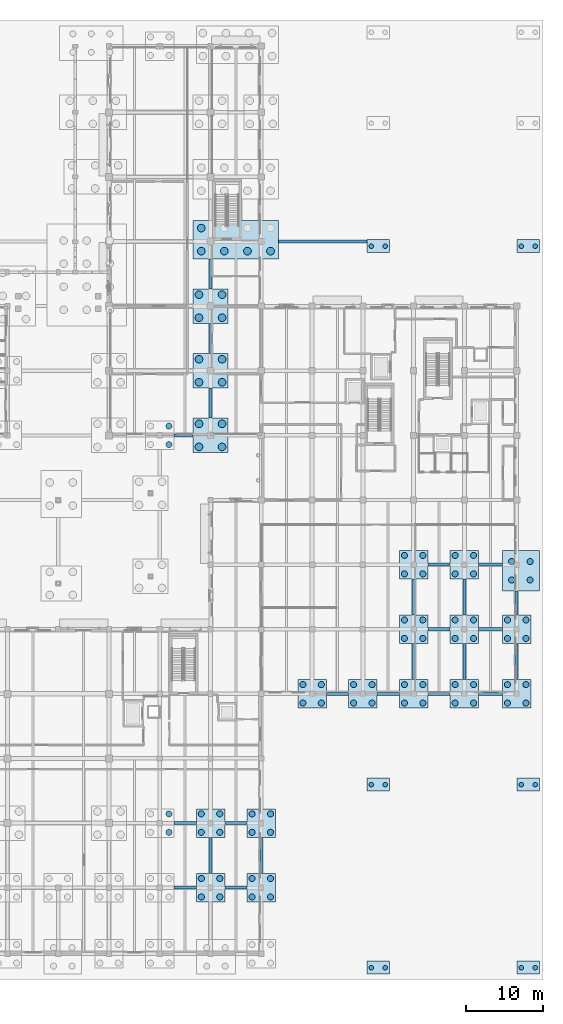
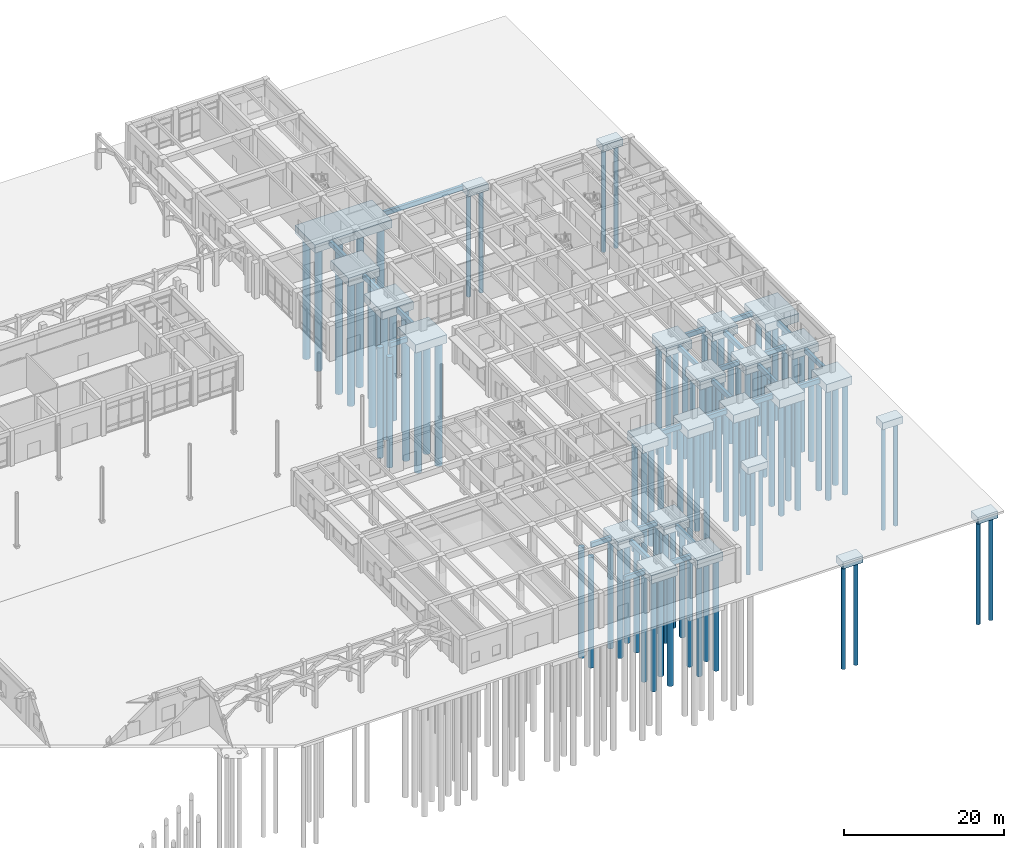
# One storey, part 8 of 82: 93 piles, 50 footings.
"""IFC4 building model written with IfcOpenShell, lengths in metres."""

from ifc_helpers import new_model, si_unit, direction, frame, origin, origin_2d, place, context, subcontext, project, spatial, rectangle, circle, extrude, material, material_profile, profile_set, type_object, element, save


model = new_model("IFC4")

# Units and contexts
model_context = context("Model", 3, precision=1e-05, world=origin(), true_north=direction((0.0, 1.0)))
body_context = subcontext(model_context, "Body", "Model", "MODEL_VIEW")
ifc_project = project(units=[si_unit("LENGTHUNIT", "METRE"), si_unit("AREAUNIT", "SQUARE_METRE"), si_unit("VOLUMEUNIT", "CUBIC_METRE"), si_unit("PLANEANGLEUNIT", "RADIAN"), si_unit("MASSUNIT", "GRAM", prefix="KILO")], contexts=[model_context])

# Site, building, storey
site_placement = place(None, origin())
site = spatial("IfcSite", under=ifc_project, at=site_placement, CompositionType="ELEMENT")
building_placement = place(site_placement, origin())
building = spatial("IfcBuilding", under=site, at=building_placement, Name="Kolvaren Faculty of Natural Sciences", CompositionType="ELEMENT")
storey_placement = place(building_placement, origin())
storey = spatial("IfcBuildingStorey", under=building, at=storey_placement, Name="L00", CompositionType="ELEMENT", Elevation=0.0)

# Piles
ifc_material = material(Name="Concrete C35/45", Category="concrete")
ifc_material_profile_1 = material_profile(ifc_material, circle(Radius=0.5, at=origin_2d()), Name="PILE D1000")
ifc_profile_set_1 = profile_set([ifc_material_profile_1], Name="Concrete C35/45")
pile_type_1 = type_object("IfcPileType", Name="BoredPile_1000", PredefinedType="BORED", material=ifc_profile_set_1)
for number, where, z_axis, x_axis, name in (
    (1, (130.699951171875, 65.89990234375, -1.469970703125), (0.0, 0.0, -1.0), (1.0, 0.0, 0.0), "Rock-socketed bored pile BP-1000 under CAP-217"),
    (2, (130.699951171875, 68.89990234375, -1.469970703125), (0.0, 0.0, -1.0), (1.0, 0.0, 0.0), "Rock-socketed bored pile BP-1000 under CAP-217"),
    (3, (133.699951171875, 65.89990234375, -1.469970703125), (0.0, 0.0, -1.0), (1.0, 0.0, 0.0), "Rock-socketed bored pile BP-1000 under CAP-217"),
    (4, (133.699951171875, 68.89990234375, -1.469970703125), (0.0, 0.0, -1.0), (1.0, 0.0, 0.0), "Rock-socketed bored pile BP-1000 under CAP-217"),
    (5, (130.699951171875, 74.300048828125, -1.469970703125), (0.0, 0.0, -1.0), (1.0, 0.0, 0.0), "Rock-socketed bored pile BP-1000 under CAP-218"),
    (6, (130.699951171875, 77.300048828125, -1.469970703125), (0.0, 0.0, -1.0), (1.0, 0.0, 0.0), "Rock-socketed bored pile BP-1000 under CAP-218"),
    (7, (133.699951171875, 74.300048828125, -1.469970703125), (0.0, 0.0, -1.0), (1.0, 0.0, 0.0), "Rock-socketed bored pile BP-1000 under CAP-218"),
    (8, (133.699951171875, 77.300048828125, -1.469970703125), (0.0, 0.0, -1.0), (1.0, 0.0, 0.0), "Rock-socketed bored pile BP-1000 under CAP-218"),
    (9, (130.699951171875, 82.699951171875, -1.469970703125), (0.0, 0.0, -1.0), (1.0, 0.0, 0.0), "Rock-socketed bored pile BP-1000 under CAP-219"),
    (10, (130.699951171875, 85.699951171875, -1.469970703125), (0.0, 0.0, -1.0), (1.0, 0.0, 0.0), "Rock-socketed bored pile BP-1000 under CAP-219"),
    (11, (133.699951171875, 82.699951171875, -1.469970703125), (0.0, 0.0, -1.0), (1.0, 0.0, 0.0), "Rock-socketed bored pile BP-1000 under CAP-219"),
    (12, (133.699951171875, 85.699951171875, -1.469970703125), (0.0, 0.0, -1.0), (1.0, 0.0, 0.0), "Rock-socketed bored pile BP-1000 under CAP-219"),
    (13, (131.0, 91.35009765625, -1.469970703125), (0.0, 0.0, -1.0), (1.0, 0.0, 0.0), "Rock-socketed bored pile BP-1000 under CAP-220"),
    (14, (131.0, 94.35009765625, -1.469970703125), (0.0, 0.0, -1.0), (1.0, 0.0, 0.0), "Rock-socketed bored pile BP-1000 under CAP-220"),
    (15, (134.0, 91.35009765625, -1.469970703125), (0.0, 0.0, -1.0), (1.0, 0.0, 0.0), "Rock-socketed bored pile BP-1000 under CAP-220"),
    (16, (137.0, 91.35009765625, -1.469970703125), (0.0, 0.0, -1.0), (1.0, 0.0, 0.0), "Rock-socketed bored pile BP-1000 under CAP-220"),
    (17, (140.0, 91.35009765625, -1.469970703125), (0.0, 0.0, -1.0), (1.0, 0.0, 0.0), "Rock-socketed bored pile BP-1000 under CAP-220"),
):
    element("IfcPile", number, at=place(storey_placement, frame(where, z_axis=z_axis, x_axis=x_axis)), inside=storey, type_object=pile_type_1, Name=name, PredefinedType="BORED", context=body_context, shape_type="SweptSolid", body=[
        extrude(circle(Radius=0.5, at=origin_2d()), origin(), (0.0, 0.0, 1.0), 18.830078125),
    ])
ifc_material_profile_2 = material_profile(ifc_material, circle(Radius=0.300048828125, at=origin_2d()), Name="PILE D600")
ifc_profile_set_2 = profile_set([ifc_material_profile_2], Name="Concrete C35/45")
pile_type_2 = type_object("IfcPileType", Name="BoredPile_600", PredefinedType="BORED", material=ifc_profile_set_2)
for number, where, z_axis, x_axis, name in (
    (18, (153.10009765625, -1.800048828125, -1.27001953125), (0.0, 0.0, -1.0), (1.0, 0.0, 0.0), "Rock-socketed bored pile BP-600 under CAP-233"),
    (19, (154.89990234375, -1.800048828125, -1.27001953125), (0.0, 0.0, -1.0), (1.0, 0.0, 0.0), "Rock-socketed bored pile BP-600 under CAP-233"),
    (20, (153.10009765625, 22.0, -1.27001953125), (0.0, 0.0, -1.0), (1.0, 0.0, 0.0), "Rock-socketed bored pile BP-600 under CAP-234"),
    (21, (154.89990234375, 22.0, -1.27001953125), (0.0, 0.0, -1.0), (1.0, 0.0, 0.0), "Rock-socketed bored pile BP-600 under CAP-234"),
    (22, (153.10009765625, 92.0, -1.27001953125), (0.0, 0.0, -1.0), (1.0, 0.0, 0.0), "Rock-socketed bored pile BP-600 under CAP-235"),
    (23, (154.89990234375, 92.0, -1.27001953125), (0.0, 0.0, -1.0), (1.0, 0.0, 0.0), "Rock-socketed bored pile BP-600 under CAP-235"),
    (24, (172.60009765625, -1.800048828125, -1.27001953125), (0.0, 0.0, -1.0), (1.0, 0.0, 0.0), "Rock-socketed bored pile BP-600 under CAP-247"),
    (25, (174.39990234375, -1.800048828125, -1.27001953125), (0.0, 0.0, -1.0), (1.0, 0.0, 0.0), "Rock-socketed bored pile BP-600 under CAP-247"),
    (26, (172.60009765625, 22.0, -1.27001953125), (0.0, 0.0, -1.0), (1.0, 0.0, 0.0), "Rock-socketed bored pile BP-600 under CAP-248"),
    (27, (174.39990234375, 22.0, -1.27001953125), (0.0, 0.0, -1.0), (1.0, 0.0, 0.0), "Rock-socketed bored pile BP-600 under CAP-248"),
    (28, (172.60009765625, 92.0, -1.27001953125), (0.0, 0.0, -1.0), (1.0, 0.0, 0.0), "Rock-socketed bored pile BP-600 under CAP-249"),
    (29, (174.39990234375, 92.0, -1.27001953125), (0.0, 0.0, -1.0), (1.0, 0.0, 0.0), "Rock-socketed bored pile BP-600 under CAP-249"),
):
    element("IfcPile", number, at=place(storey_placement, frame(where, z_axis=z_axis, x_axis=x_axis)), inside=storey, type_object=pile_type_2, Name=name, PredefinedType="BORED", context=body_context, shape_type="SweptSolid", body=[
        extrude(circle(Radius=0.300048828125, at=origin_2d()), origin(), (0.0, 0.0, 1.0), 15.929931640625),
    ])
ifc_material_profile_3 = material_profile(ifc_material, circle(Radius=0.39990234375, at=origin_2d()), Name="PILE D800")
ifc_profile_set_3 = profile_set([ifc_material_profile_3], Name="Concrete C35/45")
pile_type_3 = type_object("IfcPileType", Name="BoredPile_800", PredefinedType="BORED", material=ifc_profile_set_3)
for number, where, z_axis, x_axis, name in (
    (30, (126.800048828125, 15.800048828125, -1.469970703125), (0.0, 0.0, -1.0), (1.0, 0.0, 0.0), "Rock-socketed bored pile BP-800 under CAP-214"),
    (31, (126.800048828125, 18.199951171875, -1.469970703125), (0.0, 0.0, -1.0), (1.0, 0.0, 0.0), "Rock-socketed bored pile BP-800 under CAP-214"),
    (32, (126.800048828125, 66.199951171875, -1.469970703125), (0.0, 0.0, -1.0), (1.0, 0.0, 0.0), "Rock-socketed bored pile BP-800 under CAP-215"),
    (33, (126.800048828125, 68.60009765625, -1.469970703125), (0.0, 0.0, -1.0), (1.0, 0.0, 0.0), "Rock-socketed bored pile BP-800 under CAP-215"),
    (34, (131.0, 7.39990234375, -1.469970703125), (0.0, 0.0, -1.0), (1.0, 0.0, 0.0), "Rock-socketed bored pile BP-800 under CAP-224"),
    (35, (131.0, 9.800048828125, -1.469970703125), (0.0, 0.0, -1.0), (1.0, 0.0, 0.0), "Rock-socketed bored pile BP-800 under CAP-224"),
    (36, (133.39990234375, 7.39990234375, -1.469970703125), (0.0, 0.0, -1.0), (1.0, 0.0, 0.0), "Rock-socketed bored pile BP-800 under CAP-224"),
    (37, (133.39990234375, 9.800048828125, -1.469970703125), (0.0, 0.0, -1.0), (1.0, 0.0, 0.0), "Rock-socketed bored pile BP-800 under CAP-224"),
    (38, (131.0, 15.800048828125, -1.469970703125), (0.0, 0.0, -1.0), (1.0, 0.0, 0.0), "Rock-socketed bored pile BP-800 under CAP-225"),
    (39, (131.0, 18.199951171875, -1.469970703125), (0.0, 0.0, -1.0), (1.0, 0.0, 0.0), "Rock-socketed bored pile BP-800 under CAP-225"),
    (40, (133.39990234375, 15.800048828125, -1.469970703125), (0.0, 0.0, -1.0), (1.0, 0.0, 0.0), "Rock-socketed bored pile BP-800 under CAP-225"),
    (41, (133.39990234375, 18.199951171875, -1.469970703125), (0.0, 0.0, -1.0), (1.0, 0.0, 0.0), "Rock-socketed bored pile BP-800 under CAP-225"),
    (42, (137.60009765625, 7.39990234375, -1.469970703125), (0.0, 0.0, -1.0), (1.0, 0.0, 0.0), "Rock-socketed bored pile BP-800 under CAP-229"),
    (43, (137.60009765625, 9.800048828125, -1.469970703125), (0.0, 0.0, -1.0), (1.0, 0.0, 0.0), "Rock-socketed bored pile BP-800 under CAP-229"),
    (44, (140.0, 7.39990234375, -1.469970703125), (0.0, 0.0, -1.0), (1.0, 0.0, 0.0), "Rock-socketed bored pile BP-800 under CAP-229"),
    (45, (140.0, 9.800048828125, -1.469970703125), (0.0, 0.0, -1.0), (1.0, 0.0, 0.0), "Rock-socketed bored pile BP-800 under CAP-229"),
    (46, (137.60009765625, 15.800048828125, -1.469970703125), (0.0, 0.0, -1.0), (1.0, 0.0, 0.0), "Rock-socketed bored pile BP-800 under CAP-230"),
    (47, (137.60009765625, 18.199951171875, -1.469970703125), (0.0, 0.0, -1.0), (1.0, 0.0, 0.0), "Rock-socketed bored pile BP-800 under CAP-230"),
    (48, (140.0, 15.800048828125, -1.469970703125), (0.0, 0.0, -1.0), (1.0, 0.0, 0.0), "Rock-socketed bored pile BP-800 under CAP-230"),
    (49, (140.0, 18.199951171875, -1.469970703125), (0.0, 0.0, -1.0), (1.0, 0.0, 0.0), "Rock-socketed bored pile BP-800 under CAP-230"),
    (50, (144.199951171875, 32.60009765625, -1.469970703125), (0.0, 0.0, -1.0), (1.0, 0.0, 0.0), "Rock-socketed bored pile BP-800 under CAP-231"),
    (51, (144.199951171875, 35.0, -1.469970703125), (0.0, 0.0, -1.0), (1.0, 0.0, 0.0), "Rock-socketed bored pile BP-800 under CAP-231"),
    (52, (146.60009765625, 32.60009765625, -1.469970703125), (0.0, 0.0, -1.0), (1.0, 0.0, 0.0), "Rock-socketed bored pile BP-800 under CAP-231"),
    (53, (146.60009765625, 35.0, -1.469970703125), (0.0, 0.0, -1.0), (1.0, 0.0, 0.0), "Rock-socketed bored pile BP-800 under CAP-231"),
    (54, (150.800048828125, 32.60009765625, -1.469970703125), (0.0, 0.0, -1.0), (1.0, 0.0, 0.0), "Rock-socketed bored pile BP-800 under CAP-232"),
    (55, (150.800048828125, 35.0, -1.469970703125), (0.0, 0.0, -1.0), (1.0, 0.0, 0.0), "Rock-socketed bored pile BP-800 under CAP-232"),
    (56, (153.199951171875, 32.60009765625, -1.469970703125), (0.0, 0.0, -1.0), (1.0, 0.0, 0.0), "Rock-socketed bored pile BP-800 under CAP-232"),
    (57, (153.199951171875, 35.0, -1.469970703125), (0.0, 0.0, -1.0), (1.0, 0.0, 0.0), "Rock-socketed bored pile BP-800 under CAP-232"),
    (58, (157.39990234375, 32.60009765625, -1.469970703125), (0.0, 0.0, -1.0), (1.0, 0.0, 0.0), "Rock-socketed bored pile BP-800 under CAP-238"),
    (59, (157.39990234375, 35.0, -1.469970703125), (0.0, 0.0, -1.0), (1.0, 0.0, 0.0), "Rock-socketed bored pile BP-800 under CAP-238"),
    (60, (159.800048828125, 32.60009765625, -1.469970703125), (0.0, 0.0, -1.0), (1.0, 0.0, 0.0), "Rock-socketed bored pile BP-800 under CAP-238"),
    (61, (159.800048828125, 35.0, -1.469970703125), (0.0, 0.0, -1.0), (1.0, 0.0, 0.0), "Rock-socketed bored pile BP-800 under CAP-238"),
    (62, (157.39990234375, 41.0, -1.469970703125), (0.0, 0.0, -1.0), (1.0, 0.0, 0.0), "Rock-socketed bored pile BP-800 under CAP-239"),
    (63, (157.39990234375, 43.39990234375, -1.469970703125), (0.0, 0.0, -1.0), (1.0, 0.0, 0.0), "Rock-socketed bored pile BP-800 under CAP-239"),
    (64, (159.800048828125, 41.0, -1.469970703125), (0.0, 0.0, -1.0), (1.0, 0.0, 0.0), "Rock-socketed bored pile BP-800 under CAP-239"),
    (65, (159.800048828125, 43.39990234375, -1.469970703125), (0.0, 0.0, -1.0), (1.0, 0.0, 0.0), "Rock-socketed bored pile BP-800 under CAP-239"),
    (66, (157.39990234375, 49.39990234375, -1.469970703125), (0.0, 0.0, -1.0), (1.0, 0.0, 0.0), "Rock-socketed bored pile BP-800 under CAP-240"),
    (67, (157.39990234375, 51.800048828125, -1.469970703125), (0.0, 0.0, -1.0), (1.0, 0.0, 0.0), "Rock-socketed bored pile BP-800 under CAP-240"),
    (68, (159.800048828125, 49.39990234375, -1.469970703125), (0.0, 0.0, -1.0), (1.0, 0.0, 0.0), "Rock-socketed bored pile BP-800 under CAP-240"),
    (69, (159.800048828125, 51.800048828125, -1.469970703125), (0.0, 0.0, -1.0), (1.0, 0.0, 0.0), "Rock-socketed bored pile BP-800 under CAP-240"),
    (70, (164.0, 32.60009765625, -1.469970703125), (0.0, 0.0, -1.0), (1.0, 0.0, 0.0), "Rock-socketed bored pile BP-800 under CAP-241"),
    (71, (164.0, 35.0, -1.469970703125), (0.0, 0.0, -1.0), (1.0, 0.0, 0.0), "Rock-socketed bored pile BP-800 under CAP-241"),
    (72, (166.39990234375, 32.60009765625, -1.469970703125), (0.0, 0.0, -1.0), (1.0, 0.0, 0.0), "Rock-socketed bored pile BP-800 under CAP-241"),
    (73, (166.39990234375, 35.0, -1.469970703125), (0.0, 0.0, -1.0), (1.0, 0.0, 0.0), "Rock-socketed bored pile BP-800 under CAP-241"),
    (74, (164.0, 41.0, -1.469970703125), (0.0, 0.0, -1.0), (1.0, 0.0, 0.0), "Rock-socketed bored pile BP-800 under CAP-242"),
    (75, (164.0, 43.39990234375, -1.469970703125), (0.0, 0.0, -1.0), (1.0, 0.0, 0.0), "Rock-socketed bored pile BP-800 under CAP-242"),
    (76, (166.39990234375, 41.0, -1.469970703125), (0.0, 0.0, -1.0), (1.0, 0.0, 0.0), "Rock-socketed bored pile BP-800 under CAP-242"),
    (77, (166.39990234375, 43.39990234375, -1.469970703125), (0.0, 0.0, -1.0), (1.0, 0.0, 0.0), "Rock-socketed bored pile BP-800 under CAP-242"),
    (78, (164.0, 49.39990234375, -1.469970703125), (0.0, 0.0, -1.0), (1.0, 0.0, 0.0), "Rock-socketed bored pile BP-800 under CAP-243"),
    (79, (164.0, 51.800048828125, -1.469970703125), (0.0, 0.0, -1.0), (1.0, 0.0, 0.0), "Rock-socketed bored pile BP-800 under CAP-243"),
    (80, (166.39990234375, 49.39990234375, -1.469970703125), (0.0, 0.0, -1.0), (1.0, 0.0, 0.0), "Rock-socketed bored pile BP-800 under CAP-243"),
    (81, (166.39990234375, 51.800048828125, -1.469970703125), (0.0, 0.0, -1.0), (1.0, 0.0, 0.0), "Rock-socketed bored pile BP-800 under CAP-243"),
    (82, (170.800048828125, 32.60009765625, -1.469970703125), (0.0, 0.0, -1.0), (1.0, 0.0, 0.0), "Rock-socketed bored pile BP-800 under CAP-244"),
    (83, (170.800048828125, 35.0, -1.469970703125), (0.0, 0.0, -1.0), (1.0, 0.0, 0.0), "Rock-socketed bored pile BP-800 under CAP-244"),
    (84, (173.199951171875, 32.60009765625, -1.469970703125), (0.0, 0.0, -1.0), (1.0, 0.0, 0.0), "Rock-socketed bored pile BP-800 under CAP-244"),
    (85, (173.199951171875, 35.0, -1.469970703125), (0.0, 0.0, -1.0), (1.0, 0.0, 0.0), "Rock-socketed bored pile BP-800 under CAP-244"),
    (86, (170.800048828125, 41.0, -1.469970703125), (0.0, 0.0, -1.0), (1.0, 0.0, 0.0), "Rock-socketed bored pile BP-800 under CAP-245"),
    (87, (170.800048828125, 43.39990234375, -1.469970703125), (0.0, 0.0, -1.0), (1.0, 0.0, 0.0), "Rock-socketed bored pile BP-800 under CAP-245"),
    (88, (173.199951171875, 41.0, -1.469970703125), (0.0, 0.0, -1.0), (1.0, 0.0, 0.0), "Rock-socketed bored pile BP-800 under CAP-245"),
    (89, (173.199951171875, 43.39990234375, -1.469970703125), (0.0, 0.0, -1.0), (1.0, 0.0, 0.0), "Rock-socketed bored pile BP-800 under CAP-245"),
    (90, (171.35009765625, 48.60009765625, -1.469970703125), (0.0, 0.0, -1.0), (1.0, 0.0, 0.0), "Rock-socketed bored pile BP-800 under CAP-246"),
    (91, (171.35009765625, 51.0, -1.469970703125), (0.0, 0.0, -1.0), (1.0, 0.0, 0.0), "Rock-socketed bored pile BP-800 under CAP-246"),
    (92, (173.75, 48.60009765625, -1.469970703125), (0.0, 0.0, -1.0), (1.0, 0.0, 0.0), "Rock-socketed bored pile BP-800 under CAP-246"),
    (93, (173.75, 51.0, -1.469970703125), (0.0, 0.0, -1.0), (1.0, 0.0, 0.0), "Rock-socketed bored pile BP-800 under CAP-246"),
):
    element("IfcPile", number, at=place(storey_placement, frame(where, z_axis=z_axis, x_axis=x_axis)), inside=storey, type_object=pile_type_3, Name=name, PredefinedType="BORED", context=body_context, shape_type="SweptSolid", body=[
        extrude(circle(Radius=0.39990234375, at=origin_2d()), origin(), (0.0, 0.0, 1.0), 16.929931640625),
    ])

# Footings
ifc_material_profile_4 = material_profile(ifc_material, rectangle(XDim=0.39990234375, YDim=0.699951171875, at=origin_2d()), Name="RC FB 400x700")
ifc_profile_set_4 = profile_set([ifc_material_profile_4], Name="Concrete C35/45")
footing_type_1 = type_object("IfcFootingType", Name="FootingTieBeam_400x700", PredefinedType="FOOTING_BEAM", material=ifc_profile_set_4)
footing_1_placement = place(storey_placement, frame((127.449951171875, 8.60009765625, -0.75), z_axis=(1.0, 0.0, 0.0), x_axis=(0.0, 1.0, 0.0)))
element("IfcFooting", 94, at=footing_1_placement, inside=storey, type_object=footing_type_1, Name="L00 orthogonal foundation tie beam FB-01", PredefinedType="FOOTING_BEAM", context=body_context, shape_type="SweptSolid", body=[
    extrude(rectangle(XDim=0.39990234375, YDim=0.699951171875, at=origin_2d()), origin(), (0.0, 0.0, 1.0), 2.900146484375),
])
footing_2_placement = place(storey_placement, frame((134.050048828125, 8.60009765625, -0.75), z_axis=(1.0, 0.0, 0.0), x_axis=(0.0, 1.0, 0.0)))
element("IfcFooting", 95, at=footing_2_placement, inside=storey, type_object=footing_type_1, Name="L00 orthogonal foundation tie beam FB-01", PredefinedType="FOOTING_BEAM", context=body_context, shape_type="SweptSolid", body=[
    extrude(rectangle(XDim=0.39990234375, YDim=0.699951171875, at=origin_2d()), origin(), (0.0, 0.0, 1.0), 2.89990234375),
])
footing_3_placement = place(storey_placement, frame((127.449951171875, 17.0, -0.75), z_axis=(1.0, 0.0, 0.0), x_axis=(0.0, 1.0, 0.0)))
element("IfcFooting", 96, at=footing_3_placement, inside=storey, type_object=footing_type_1, Name="L00 orthogonal foundation tie beam FB-01", PredefinedType="FOOTING_BEAM", context=body_context, shape_type="SweptSolid", body=[
    extrude(rectangle(XDim=0.39990234375, YDim=0.699951171875, at=origin_2d()), origin(), (0.0, 0.0, 1.0), 2.900146484375),
])
for number, where, z_axis, x_axis, name in (
    (97, (134.050048828125, 17.0, -0.75), (1.0, 0.0, 0.0), (0.0, 1.0, 0.0), "L00 orthogonal foundation tie beam FB-01"),
    (98, (147.25, 33.800048828125, -0.75), (1.0, 0.0, 0.0), (0.0, 1.0, 0.0), "L00 orthogonal foundation tie beam FB-01"),
    (99, (153.85009765625, 33.800048828125, -0.75), (1.0, 0.0, 0.0), (0.0, 1.0, 0.0), "L00 orthogonal foundation tie beam FB-01"),
):
    element("IfcFooting", number, at=place(storey_placement, frame(where, z_axis=z_axis, x_axis=x_axis)), inside=storey, type_object=footing_type_1, Name=name, PredefinedType="FOOTING_BEAM", context=body_context, shape_type="SweptSolid", body=[
        extrude(rectangle(XDim=0.39990234375, YDim=0.699951171875, at=origin_2d()), origin(), (0.0, 0.0, 1.0), 2.89990234375),
    ])
footing_4_placement = place(storey_placement, frame((160.449951171875, 33.800048828125, -0.75), z_axis=(1.0, 0.0, 0.0), x_axis=(0.0, 1.0, 0.0)))
element("IfcFooting", 100, at=footing_4_placement, inside=storey, type_object=footing_type_1, Name="L00 orthogonal foundation tie beam FB-01", PredefinedType="FOOTING_BEAM", context=body_context, shape_type="SweptSolid", body=[
    extrude(rectangle(XDim=0.39990234375, YDim=0.699951171875, at=origin_2d()), origin(), (0.0, 0.0, 1.0), 2.900146484375),
])
footing_5_placement = place(storey_placement, frame((167.050048828125, 33.800048828125, -0.75), z_axis=(1.0, 0.0, 0.0), x_axis=(0.0, 1.0, 0.0)))
element("IfcFooting", 101, at=footing_5_placement, inside=storey, type_object=footing_type_1, Name="L00 orthogonal foundation tie beam FB-01", PredefinedType="FOOTING_BEAM", context=body_context, shape_type="SweptSolid", body=[
    extrude(rectangle(XDim=0.39990234375, YDim=0.699951171875, at=origin_2d()), origin(), (0.0, 0.0, 1.0), 3.099853515625),
])
footing_6_placement = place(storey_placement, frame((160.449951171875, 42.199951171875, -0.75), z_axis=(1.0, 0.0, 0.0), x_axis=(0.0, 1.0, 0.0)))
element("IfcFooting", 102, at=footing_6_placement, inside=storey, type_object=footing_type_1, Name="L00 orthogonal foundation tie beam FB-01", PredefinedType="FOOTING_BEAM", context=body_context, shape_type="SweptSolid", body=[
    extrude(rectangle(XDim=0.39990234375, YDim=0.699951171875, at=origin_2d()), origin(), (0.0, 0.0, 1.0), 2.900146484375),
])
footing_7_placement = place(storey_placement, frame((167.050048828125, 42.199951171875, -0.75), z_axis=(1.0, 0.0, 0.0), x_axis=(0.0, 1.0, 0.0)))
element("IfcFooting", 103, at=footing_7_placement, inside=storey, type_object=footing_type_1, Name="L00 orthogonal foundation tie beam FB-01", PredefinedType="FOOTING_BEAM", context=body_context, shape_type="SweptSolid", body=[
    extrude(rectangle(XDim=0.39990234375, YDim=0.699951171875, at=origin_2d()), origin(), (0.0, 0.0, 1.0), 3.099853515625),
])
footing_8_placement = place(storey_placement, frame((160.449951171875, 50.60009765625, -0.75), z_axis=(1.0, 0.0, 0.0), x_axis=(0.0, 1.0, 0.0)))
element("IfcFooting", 104, at=footing_8_placement, inside=storey, type_object=footing_type_1, Name="L00 orthogonal foundation tie beam FB-01", PredefinedType="FOOTING_BEAM", context=body_context, shape_type="SweptSolid", body=[
    extrude(rectangle(XDim=0.39990234375, YDim=0.699951171875, at=origin_2d()), origin(), (0.0, 0.0, 1.0), 2.900146484375),
])
footing_9_placement = place(storey_placement, frame((167.050048828125, 50.60009765625, -0.75), z_axis=(1.0, 0.0, 0.0), x_axis=(0.0, 1.0, 0.0)))
element("IfcFooting", 105, at=footing_9_placement, inside=storey, type_object=footing_type_1, Name="L00 orthogonal foundation tie beam FB-01", PredefinedType="FOOTING_BEAM", context=body_context, shape_type="SweptSolid", body=[
    extrude(rectangle(XDim=0.39990234375, YDim=0.699951171875, at=origin_2d()), origin(), (0.0, 0.0, 1.0), 3.099853515625),
])
footing_10_placement = place(storey_placement, frame((127.449951171875, 67.39990234375, -0.75), z_axis=(1.0, 0.0, 0.0), x_axis=(0.0, 1.0, 0.0)))
element("IfcFooting", 106, at=footing_10_placement, inside=storey, type_object=footing_type_1, Name="L00 orthogonal foundation tie beam FB-01", PredefinedType="FOOTING_BEAM", context=body_context, shape_type="SweptSolid", body=[
    extrude(rectangle(XDim=0.39990234375, YDim=0.699951171875, at=origin_2d()), origin(), (0.0, 0.0, 1.0), 2.5),
])
footing_11_placement = place(storey_placement, frame((141.050048828125, 92.60009765625, -0.75), z_axis=(1.0, 0.0, 0.0), x_axis=(0.0, 1.0, 0.0)))
element("IfcFooting", 107, at=footing_11_placement, inside=storey, type_object=footing_type_1, Name="L00 orthogonal foundation tie beam FB-01", PredefinedType="FOOTING_BEAM", context=body_context, shape_type="SweptSolid", body=[
    extrude(rectangle(XDim=0.39990234375, YDim=0.699951171875, at=origin_2d()), origin(), (0.0, 0.0, 1.0), 11.5),
])
footing_12_placement = place(storey_placement, frame((132.199951171875, 10.449951171875, -0.75), z_axis=(0.0, 1.0, 0.0), x_axis=(-1.0, 0.0, 0.0)))
element("IfcFooting", 108, at=footing_12_placement, inside=storey, type_object=footing_type_1, Name="L00 orthogonal foundation tie beam FB-01", PredefinedType="FOOTING_BEAM", context=body_context, shape_type="SweptSolid", body=[
    extrude(rectangle(XDim=0.39990234375, YDim=0.699951171875, at=origin_2d()), origin(), (0.0, 0.0, 1.0), 4.699951171875),
])
footing_13_placement = place(storey_placement, frame((132.199951171875, 69.64990234375, -0.75), z_axis=(0.0, 1.0, 0.0), x_axis=(-1.0, 0.0, 0.0)))
element("IfcFooting", 109, at=footing_13_placement, inside=storey, type_object=footing_type_1, Name="L00 orthogonal foundation tie beam FB-01", PredefinedType="FOOTING_BEAM", context=body_context, shape_type="SweptSolid", body=[
    extrude(rectangle(XDim=0.39990234375, YDim=0.699951171875, at=origin_2d()), origin(), (0.0, 0.0, 1.0), 3.900146484375),
])
footing_14_placement = place(storey_placement, frame((132.199951171875, 78.050048828125, -0.75), z_axis=(0.0, 1.0, 0.0), x_axis=(-1.0, 0.0, 0.0)))
element("IfcFooting", 110, at=footing_14_placement, inside=storey, type_object=footing_type_1, Name="L00 orthogonal foundation tie beam FB-01", PredefinedType="FOOTING_BEAM", context=body_context, shape_type="SweptSolid", body=[
    extrude(rectangle(XDim=0.39990234375, YDim=0.699951171875, at=origin_2d()), origin(), (0.0, 0.0, 1.0), 3.89990234375),
])
footing_15_placement = place(storey_placement, frame((132.199951171875, 86.449951171875, -0.75), z_axis=(0.0, 1.0, 0.0), x_axis=(-1.0, 0.0, 0.0)))
element("IfcFooting", 111, at=footing_15_placement, inside=storey, type_object=footing_type_1, Name="L00 orthogonal foundation tie beam FB-01", PredefinedType="FOOTING_BEAM", context=body_context, shape_type="SweptSolid", body=[
    extrude(rectangle(XDim=0.39990234375, YDim=0.699951171875, at=origin_2d()), origin(), (0.0, 0.0, 1.0), 3.900146484375),
])
footing_16_placement = place(storey_placement, frame((138.800048828125, 10.449951171875, -0.75), z_axis=(0.0, 1.0, 0.0), x_axis=(-1.0, 0.0, 0.0)))
element("IfcFooting", 112, at=footing_16_placement, inside=storey, type_object=footing_type_1, Name="L00 orthogonal foundation tie beam FB-01", PredefinedType="FOOTING_BEAM", context=body_context, shape_type="SweptSolid", body=[
    extrude(rectangle(XDim=0.39990234375, YDim=0.699951171875, at=origin_2d()), origin(), (0.0, 0.0, 1.0), 4.699951171875),
])
footing_17_placement = place(storey_placement, frame((158.60009765625, 35.64990234375, -0.75), z_axis=(0.0, 1.0, 0.0), x_axis=(-1.0, 0.0, 0.0)))
element("IfcFooting", 113, at=footing_17_placement, inside=storey, type_object=footing_type_1, Name="L00 orthogonal foundation tie beam FB-01", PredefinedType="FOOTING_BEAM", context=body_context, shape_type="SweptSolid", body=[
    extrude(rectangle(XDim=0.39990234375, YDim=0.699951171875, at=origin_2d()), origin(), (0.0, 0.0, 1.0), 4.7001953125),
])
footing_18_placement = place(storey_placement, frame((158.60009765625, 44.050048828125, -0.75), z_axis=(0.0, 1.0, 0.0), x_axis=(-1.0, 0.0, 0.0)))
element("IfcFooting", 114, at=footing_18_placement, inside=storey, type_object=footing_type_1, Name="L00 orthogonal foundation tie beam FB-01", PredefinedType="FOOTING_BEAM", context=body_context, shape_type="SweptSolid", body=[
    extrude(rectangle(XDim=0.39990234375, YDim=0.699951171875, at=origin_2d()), origin(), (0.0, 0.0, 1.0), 4.699951171875),
])
footing_19_placement = place(storey_placement, frame((165.199951171875, 35.64990234375, -0.75), z_axis=(0.0, 1.0, 0.0), x_axis=(-1.0, 0.0, 0.0)))
element("IfcFooting", 115, at=footing_19_placement, inside=storey, type_object=footing_type_1, Name="L00 orthogonal foundation tie beam FB-01", PredefinedType="FOOTING_BEAM", context=body_context, shape_type="SweptSolid", body=[
    extrude(rectangle(XDim=0.39990234375, YDim=0.699951171875, at=origin_2d()), origin(), (0.0, 0.0, 1.0), 4.7001953125),
])
footing_20_placement = place(storey_placement, frame((165.199951171875, 44.050048828125, -0.75), z_axis=(0.0, 1.0, 0.0), x_axis=(-1.0, 0.0, 0.0)))
element("IfcFooting", 116, at=footing_20_placement, inside=storey, type_object=footing_type_1, Name="L00 orthogonal foundation tie beam FB-01", PredefinedType="FOOTING_BEAM", context=body_context, shape_type="SweptSolid", body=[
    extrude(rectangle(XDim=0.39990234375, YDim=0.699951171875, at=origin_2d()), origin(), (0.0, 0.0, 1.0), 4.699951171875),
])
footing_21_placement = place(storey_placement, frame((172.0, 35.64990234375, -0.75), z_axis=(0.0, 1.0, 0.0), x_axis=(-1.0, 0.0, 0.0)))
element("IfcFooting", 117, at=footing_21_placement, inside=storey, type_object=footing_type_1, Name="L00 orthogonal foundation tie beam FB-01", PredefinedType="FOOTING_BEAM", context=body_context, shape_type="SweptSolid", body=[
    extrude(rectangle(XDim=0.39990234375, YDim=0.699951171875, at=origin_2d()), origin(), (0.0, 0.0, 1.0), 4.7001953125),
])
footing_22_placement = place(storey_placement, frame((172.0, 44.050048828125, -0.75), z_axis=(0.0, 1.0, 0.0), x_axis=(-1.0, 0.0, 0.0)))
element("IfcFooting", 118, at=footing_22_placement, inside=storey, type_object=footing_type_1, Name="L00 orthogonal foundation tie beam FB-01", PredefinedType="FOOTING_BEAM", context=body_context, shape_type="SweptSolid", body=[
    extrude(rectangle(XDim=0.39990234375, YDim=0.699951171875, at=origin_2d()), origin(), (0.0, 0.0, 1.0), 3.099853515625),
])
footing_type_2 = type_object("IfcFootingType", Name="PileCap_11100x5000x1250", PredefinedType="PILE_CAP", material=ifc_material)
footing_23_placement = place(storey_placement, frame((135.5, 92.85009765625, -1.570068359375), z_axis=(0.0, 0.0, 1.0), x_axis=(1.0, 0.0, 0.0)))
element("IfcFooting", 119, at=footing_23_placement, inside=storey, type_object=footing_type_2, Name="L00 reinforced concrete pile cap PC-48 (CAP-220)", PredefinedType="PILE_CAP", context=body_context, shape_type="SweptSolid", body=[
    extrude(rectangle(XDim=11.10009765625, YDim=5.0, at=origin_2d()), origin(), (0.0, 0.0, 1.0), 1.25),
])
footing_type_3 = type_object("IfcFootingType", Name="PileCap_2900x1700x1050", PredefinedType="PILE_CAP", material=ifc_material)
for number, where, z_axis, x_axis, name in (
    (120, (154.0, -1.800048828125, -1.3701171875), (0.0, 0.0, 1.0), (1.0, 0.0, 0.0), "L00 reinforced concrete pile cap PC-19 (CAP-233)"),
    (121, (154.0, 22.0, -1.3701171875), (0.0, 0.0, 1.0), (1.0, 0.0, 0.0), "L00 reinforced concrete pile cap PC-19 (CAP-234)"),
    (122, (154.0, 92.0, -1.3701171875), (0.0, 0.0, 1.0), (1.0, 0.0, 0.0), "L00 reinforced concrete pile cap PC-19 (CAP-235)"),
    (123, (173.5, -1.800048828125, -1.3701171875), (0.0, 0.0, 1.0), (1.0, 0.0, 0.0), "L00 reinforced concrete pile cap PC-19 (CAP-247)"),
    (124, (173.5, 22.0, -1.3701171875), (0.0, 0.0, 1.0), (1.0, 0.0, 0.0), "L00 reinforced concrete pile cap PC-19 (CAP-248)"),
    (125, (173.5, 92.0, -1.3701171875), (0.0, 0.0, 1.0), (1.0, 0.0, 0.0), "L00 reinforced concrete pile cap PC-19 (CAP-249)"),
):
    element("IfcFooting", number, at=place(storey_placement, frame(where, z_axis=z_axis, x_axis=x_axis)), inside=storey, type_object=footing_type_3, Name=name, PredefinedType="PILE_CAP", context=body_context, shape_type="SweptSolid", body=[
        extrude(rectangle(XDim=2.89990234375, YDim=1.699951171875, at=origin_2d()), origin(), (0.0, 0.0, 1.0), 1.050048828125),
    ])
footing_type_4 = type_object("IfcFootingType", Name="PileCap_3700x3700x1250", PredefinedType="PILE_CAP", material=ifc_material)
for number, where, z_axis, x_axis, name in (
    (126, (132.199951171875, 8.60009765625, -1.570068359375), (0.0, 0.0, 1.0), (1.0, 0.0, 0.0), "L00 reinforced concrete pile cap PC-16 (CAP-224)"),
    (127, (132.199951171875, 17.0, -1.570068359375), (0.0, 0.0, 1.0), (1.0, 0.0, 0.0), "L00 reinforced concrete pile cap PC-16 (CAP-225)"),
    (128, (138.800048828125, 8.60009765625, -1.570068359375), (0.0, 0.0, 1.0), (1.0, 0.0, 0.0), "L00 reinforced concrete pile cap PC-16 (CAP-229)"),
    (129, (138.800048828125, 17.0, -1.570068359375), (0.0, 0.0, 1.0), (1.0, 0.0, 0.0), "L00 reinforced concrete pile cap PC-16 (CAP-230)"),
    (130, (145.39990234375, 33.800048828125, -1.570068359375), (0.0, 0.0, 1.0), (1.0, 0.0, 0.0), "L00 reinforced concrete pile cap PC-16 (CAP-231)"),
    (131, (152.0, 33.800048828125, -1.570068359375), (0.0, 0.0, 1.0), (1.0, 0.0, 0.0), "L00 reinforced concrete pile cap PC-16 (CAP-232)"),
    (132, (158.60009765625, 33.800048828125, -1.570068359375), (0.0, 0.0, 1.0), (1.0, 0.0, 0.0), "L00 reinforced concrete pile cap PC-16 (CAP-238)"),
    (133, (158.60009765625, 42.199951171875, -1.570068359375), (0.0, 0.0, 1.0), (1.0, 0.0, 0.0), "L00 reinforced concrete pile cap PC-16 (CAP-239)"),
    (134, (158.60009765625, 50.60009765625, -1.570068359375), (0.0, 0.0, 1.0), (1.0, 0.0, 0.0), "L00 reinforced concrete pile cap PC-16 (CAP-240)"),
    (135, (165.199951171875, 33.800048828125, -1.570068359375), (0.0, 0.0, 1.0), (1.0, 0.0, 0.0), "L00 reinforced concrete pile cap PC-16 (CAP-241)"),
    (136, (165.199951171875, 42.199951171875, -1.570068359375), (0.0, 0.0, 1.0), (1.0, 0.0, 0.0), "L00 reinforced concrete pile cap PC-16 (CAP-242)"),
    (137, (165.199951171875, 50.60009765625, -1.570068359375), (0.0, 0.0, 1.0), (1.0, 0.0, 0.0), "L00 reinforced concrete pile cap PC-16 (CAP-243)"),
    (138, (172.0, 33.800048828125, -1.570068359375), (0.0, 0.0, 1.0), (1.0, 0.0, 0.0), "L00 reinforced concrete pile cap PC-16 (CAP-244)"),
    (139, (172.0, 42.199951171875, -1.570068359375), (0.0, 0.0, 1.0), (1.0, 0.0, 0.0), "L00 reinforced concrete pile cap PC-16 (CAP-245)"),
):
    element("IfcFooting", number, at=place(storey_placement, frame(where, z_axis=z_axis, x_axis=x_axis)), inside=storey, type_object=footing_type_4, Name=name, PredefinedType="PILE_CAP", context=body_context, shape_type="SweptSolid", body=[
        extrude(rectangle(XDim=3.699951171875, YDim=3.699951171875, at=origin_2d()), origin(), (0.0, 0.0, 1.0), 1.25),
    ])
footing_type_5 = type_object("IfcFootingType", Name="PileCap_4500x4500x1250", PredefinedType="PILE_CAP", material=ifc_material)
for number, where, z_axis, x_axis, name in (
    (140, (132.199951171875, 67.39990234375, -1.570068359375), (0.0, 0.0, 1.0), (1.0, 0.0, 0.0), "L00 reinforced concrete pile cap PC-23 (CAP-217)"),
    (141, (132.199951171875, 75.800048828125, -1.570068359375), (0.0, 0.0, 1.0), (1.0, 0.0, 0.0), "L00 reinforced concrete pile cap PC-23 (CAP-218)"),
    (142, (132.199951171875, 84.199951171875, -1.570068359375), (0.0, 0.0, 1.0), (1.0, 0.0, 0.0), "L00 reinforced concrete pile cap PC-23 (CAP-219)"),
):
    element("IfcFooting", number, at=place(storey_placement, frame(where, z_axis=z_axis, x_axis=x_axis)), inside=storey, type_object=footing_type_5, Name=name, PredefinedType="PILE_CAP", context=body_context, shape_type="SweptSolid", body=[
        extrude(rectangle(XDim=4.5, YDim=4.5, at=origin_2d()), origin(), (0.0, 0.0, 1.0), 1.25),
    ])
footing_type_6 = type_object("IfcFootingType", Name="PileCap_4800x5300x1250", PredefinedType="PILE_CAP", material=ifc_material)
footing_24_placement = place(storey_placement, frame((172.550048828125, 49.800048828125, -1.570068359375), z_axis=(0.0, 0.0, 1.0), x_axis=(1.0, 0.0, 0.0)))
element("IfcFooting", 143, at=footing_24_placement, inside=storey, type_object=footing_type_6, Name="L00 reinforced concrete pile cap PC-51 (CAP-246)", PredefinedType="PILE_CAP", context=body_context, shape_type="SweptSolid", body=[
    extrude(rectangle(XDim=4.800048828125, YDim=5.300048828125, at=origin_2d()), origin(), (0.0, 0.0, 1.0), 1.25),
])

save(model, "model.ifc")
